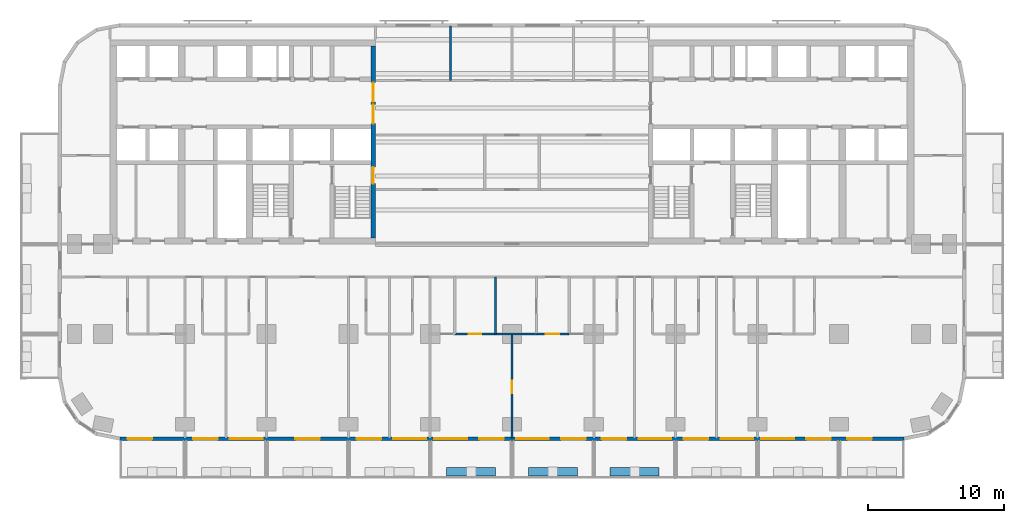
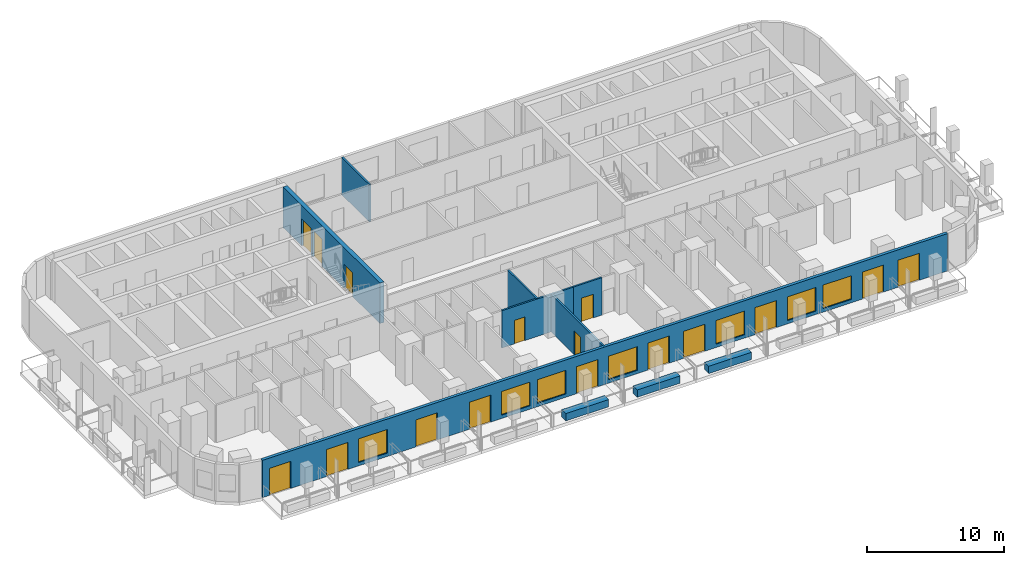
# One storey, part 4 of 13: 16 doors, 10 walls, 7 windows, 23 openings.
"""IFC4 building model written with IfcOpenShell, lengths in metres."""

import ifcopenshell
import ifcopenshell.guid

model = None  # the IFC model being written
_history = None  # IfcOwnerHistory: only IFC2X3 demands one
_inside = {}  # id of a spatial element -> (the spatial element, [elements in it])
_under = {}  # id of a project, library or spatial element -> (it, [spatial elements below it])
_declared = {}  # id of a project -> (the project, [libraries it declares])
_typed = {}  # id of a type object -> (the type object, [elements of that type])
_made_of = {}  # id of a material, layer set ... -> (it, [elements and type objects made of it])


def new_model(schema):
    """Start an empty IFC model of exactly this schema.

    Asked for "IFC4X3", IfcOpenShell would pick the latest addendum, in which some entities
    have other attributes; the version numbers below select the first issue.
    IFC2X3 requires an IfcOwnerHistory on every rooted entity: one is made here for all.
    """
    global model, _history
    if schema == "IFC4X3":
        model = ifcopenshell.file(schema_version=(4, 3, 0, 0))
    else:
        model = ifcopenshell.file(schema=schema)
    _inside.clear()
    _under.clear()
    _declared.clear()
    _typed.clear()
    _made_of.clear()
    _history = None
    if model.schema == "IFC2X3":
        org = make("IfcOrganization", Name="unknown")
        user = make(
            "IfcPersonAndOrganization",
            ThePerson=make("IfcPerson", FamilyName="unknown"),
            TheOrganization=org,
        )
        app = make(
            "IfcApplication",
            ApplicationDeveloper=org,
            Version="unknown",
            ApplicationFullName="unknown",
            ApplicationIdentifier="unknown",
        )
        _history = make(
            "IfcOwnerHistory",
            OwningUser=user,
            OwningApplication=app,
            ChangeAction="ADDED",
            CreationDate=0,
        )
    return model


def make(cls, **values):
    """One entity of the class cls with the attributes given. An attribute that is None is left unset."""
    return model.create_entity(
        cls, **{name: value for name, value in values.items() if value is not None}
    )


def rooted(cls, **values):
    """An entity with a GlobalId (a new one), such as an element, a storey or a relation."""
    return make(cls, GlobalId=ifcopenshell.guid.new(), OwnerHistory=_history, **values)


def si_unit(unit_type, name, prefix=None):
    """IfcSIUnit, for example si_unit("LENGTHUNIT", "METRE", prefix="MILLI")."""
    return make("IfcSIUnit", UnitType=unit_type, Prefix=prefix, Name=name)


def assignment(units):
    """IfcUnitAssignment: the units of a project."""
    return None if units is None else make("IfcUnitAssignment", Units=units)


def point(xyz):
    """IfcCartesianPoint."""
    return None if xyz is None else make("IfcCartesianPoint", Coordinates=xyz)


def direction(xyz):
    """IfcDirection."""
    return None if xyz is None else make("IfcDirection", DirectionRatios=xyz)


def frame(location, z_axis=None, x_axis=None):
    """IfcAxis2Placement3D, a coordinate frame: its origin and axes. An axis left out is left unset."""
    return make(
        "IfcAxis2Placement3D",
        Location=point(location),
        Axis=direction(z_axis),
        RefDirection=direction(x_axis),
    )


def frame_2d(location, x_axis=None):
    """IfcAxis2Placement2D, a coordinate frame in the plane: its origin and x axis."""
    return make(
        "IfcAxis2Placement2D", Location=point(location), RefDirection=direction(x_axis)
    )


def origin():
    """The frame at (0, 0, 0) with its axes left unset."""
    return frame((0.0, 0.0, 0.0))


def place(relative_to, where):
    """IfcLocalPlacement: puts the frame where relative to a parent placement (None: the world)."""
    return make(
        "IfcLocalPlacement", PlacementRelTo=relative_to, RelativePlacement=where
    )


def context(
    kind, dimensions, precision=None, world=None, true_north=None, identifier=None
):
    """IfcGeometricRepresentationContext, for example the 3D "Model" context."""
    return make(
        "IfcGeometricRepresentationContext",
        ContextIdentifier=identifier,
        ContextType=kind,
        CoordinateSpaceDimension=dimensions,
        Precision=precision,
        WorldCoordinateSystem=world,
        TrueNorth=true_north,
    )


def subcontext(parent, identifier, kind, view, scale=None):
    """IfcGeometricRepresentationSubContext, for example "Body" below "Model"."""
    return make(
        "IfcGeometricRepresentationSubContext",
        ContextIdentifier=identifier,
        ContextType=kind,
        ParentContext=parent,
        TargetScale=scale,
        TargetView=view,
    )


def project(units=None, contexts=None):
    """IfcProject with its units and contexts."""
    return rooted(
        "IfcProject",
        Name="project",
        RepresentationContexts=contexts,
        UnitsInContext=assignment(units),
    )


def spatial(cls, under=None, at=None, **own):
    """A site, building, storey or space (cls), placed at a placement, below another one or the project."""
    s = rooted(cls, ObjectPlacement=at, **own)
    if under is not None:
        _under.setdefault(under.id(), (under, []))[1].append(s)
    return s


def profile(cls, at=None, kind="AREA", **sizes):
    """A parametric profile (cls). Its sizes go by their IFC names, for example OverallWidth=200.0."""
    return make(cls, ProfileType=kind, Position=at, **sizes)


def rectangle(**sizes):
    """IfcRectangleProfileDef."""
    return profile("IfcRectangleProfileDef", **sizes)


def extrude(swept, where, along, depth):
    """IfcExtrudedAreaSolid: the profile swept, set in the frame where, extruded along a direction by depth."""
    return make(
        "IfcExtrudedAreaSolid",
        SweptArea=swept,
        Position=where,
        ExtrudedDirection=direction(along),
        Depth=depth,
    )


def shape(context_of_items, identifier, shape_type, items):
    """IfcShapeRepresentation: the items that make up one representation, for example the "Body"."""
    return make(
        "IfcShapeRepresentation",
        ContextOfItems=context_of_items,
        RepresentationIdentifier=identifier,
        RepresentationType=shape_type,
        Items=items,
    )


def material(Name=None, Category=None):
    """IfcMaterial."""
    return make("IfcMaterial", Name=Name, Category=Category)


def layer(
    of_material, thickness, ventilated=None, Name=None, Category=None, Priority=None
):
    """IfcMaterialLayer: one layer of a wall or slab, of a material (None: an air gap)."""
    return make(
        "IfcMaterialLayer",
        Material=of_material,
        LayerThickness=thickness,
        IsVentilated=ventilated,
        Name=Name,
        Category=Category,
        Priority=Priority,
    )


def layer_set(layers, Name=None):
    """IfcMaterialLayerSet."""
    return make("IfcMaterialLayerSet", MaterialLayers=layers, LayerSetName=Name)


def made_of(thing, what):
    """Note that an element or type object is made of a material, layer set ...; save() writes the relation."""
    if what is not None:
        _made_of.setdefault(what.id(), (what, []))[1].append(thing)
    return thing


def type_object(cls, material=None, **own):
    """A type object (cls), such as IfcWallType, which elements share."""
    return made_of(rooted(cls, **own), material)


def element(
    cls,
    number,
    at=None,
    inside=None,
    cuts=None,
    type_object=None,
    material=None,
    context=None,
    identifier="Body",
    shape_type=None,
    held_by="IfcProductDefinitionShape",
    body=None,
    shapes=None,
    **own,
):
    """One element of the class cls, such as IfcWall. Its Tag is "e" and its number.

    at: its placement. inside: the storey or other place that contains it. cuts: it is an
    opening in that element (IfcRelVoidsElement). A single representation is given by context,
    identifier, shape_type and body (its items); several are given by shapes. held_by: the class
    of the entity that holds the representations. save() writes the other relations.
    """
    e = rooted(cls, Tag="e%d" % number, ObjectPlacement=at, **own)
    if body is not None:
        shapes = [shape(context, identifier, shape_type, body)]
    if shapes is not None:
        e.Representation = make(held_by, Representations=shapes)
    if inside is not None:
        _inside.setdefault(inside.id(), (inside, []))[1].append(e)
    if cuts is not None:
        rooted(
            "IfcRelVoidsElement", RelatingBuildingElement=cuts, RelatedOpeningElement=e
        )
    if type_object is not None:
        _typed.setdefault(type_object.id(), (type_object, []))[1].append(e)
    return made_of(e, material)


def fill(opening, filler):
    """IfcRelFillsElement: the door or window that sits in an opening."""
    return rooted(
        "IfcRelFillsElement",
        RelatingOpeningElement=opening,
        RelatedBuildingElement=filler,
    )


def aggregate(whole, parts):
    """IfcRelAggregates: a whole, such as a stair, and the parts it consists of."""
    return rooted("IfcRelAggregates", RelatingObject=whole, RelatedObjects=parts)


def save(model, path):
    """Write the relations noted so far, then the file.

    IfcRelAggregates (storeys below a building ...), IfcRelContainedInSpatialStructure (elements
    in a storey), IfcRelDefinesByType, IfcRelAssociatesMaterial and IfcRelDeclares: one each for
    every whole, place, type object, material and project.
    """
    for whole, parts in _under.values():
        aggregate(whole, parts)
    for where, things in _inside.values():
        rooted(
            "IfcRelContainedInSpatialStructure",
            RelatedElements=things,
            RelatingStructure=where,
        )
    for kind, things in _typed.values():
        rooted("IfcRelDefinesByType", RelatedObjects=things, RelatingType=kind)
    for what, things in _made_of.values():
        rooted("IfcRelAssociatesMaterial", RelatedObjects=things, RelatingMaterial=what)
    for by, libraries in _declared.values():
        rooted("IfcRelDeclares", RelatingContext=by, RelatedDefinitions=libraries)
    model.write(path)


model = new_model("IFC4")

# Units and contexts
model_context = context("Model", 3, precision=1e-05, world=origin(), true_north=direction((0.0, 1.0)))
body_context = subcontext(model_context, "Body", "Model", "MODEL_VIEW")
ifc_project = project(units=[si_unit("LENGTHUNIT", "METRE"), si_unit("AREAUNIT", "SQUARE_METRE"), si_unit("VOLUMEUNIT", "CUBIC_METRE"), si_unit("PLANEANGLEUNIT", "RADIAN"), si_unit("MASSUNIT", "GRAM", prefix="KILO")], contexts=[model_context])

# Site, building, storey
site_placement = place(None, origin())
site = spatial("IfcSite", under=ifc_project, at=site_placement, CompositionType="ELEMENT")
building_placement = place(site_placement, origin())
building = spatial("IfcBuilding", under=site, at=building_placement, Name="Torana Hotel and Residences", CompositionType="ELEMENT")
storey_placement = place(building_placement, frame((0.0, 0.0, 81.60009765625)))
storey = spatial("IfcBuildingStorey", under=building, at=storey_placement, Name="L20", CompositionType="ELEMENT", Elevation=81.60009765625)

# Wall, openings, doors
ifc_material_1 = material(Name="Concrete C80/95", Category="concrete")
ifc_layer_1 = layer(ifc_material_1, 0.35009765625)
ifc_layer_set_1 = layer_set([ifc_layer_1], Name="CORE WALL 350 C80/95")
wall_type_1 = type_object("IfcWallType", Name="CORE WALL 350 C80/95", PredefinedType="SHEAR", material=ifc_layer_set_1)
wall_1_placement = place(storey_placement, frame((-10.175048828125, -14.550048828125, 0.0), z_axis=(0.0, 0.0, 1.0), x_axis=(0.0, 1.0, 0.0)))
wall_1 = element("IfcWall", 1, at=wall_1_placement, inside=storey, type_object=wall_type_1, Name="Core wall W arch", PredefinedType="SHEAR", context=body_context, shape_type="SweptSolid", body=[
    extrude(rectangle(XDim=14.10009765625, YDim=0.35009765625, at=frame_2d((7.050048828125, 0.0))), origin(), (0.0, 0.0, 1.0), 3.599853515625),
])
opening_1_placement = place(wall_1_placement, frame((8.39990234375, 0.0, 0.0)))
opening_1 = element("IfcOpeningElement", 2, at=opening_1_placement, cuts=wall_1, Name="Opening L20-01", PredefinedType="OPENING", context=body_context, shape_type="SweptSolid", body=[
    extrude(rectangle(XDim=1.39990234375, YDim=2.39990234375, at=frame_2d((0.699951171875, 1.199951171875))), frame((0.0, 0.18505859375, 0.0), z_axis=(0.0, -1.0, 0.0), x_axis=(1.0, 0.0, 0.0)), (0.0, 0.0, 1.0), 0.3701171875),
])
opening_2_placement = place(wall_1_placement, frame((10.0, 0.0, 0.0)))
opening_2 = element("IfcOpeningElement", 3, at=opening_2_placement, cuts=wall_1, Name="Opening L20-02", PredefinedType="OPENING", context=body_context, shape_type="SweptSolid", body=[
    extrude(rectangle(XDim=1.39990234375, YDim=2.39990234375, at=frame_2d((0.699951171875, 1.199951171875))), frame((0.0, 0.18505859375, 0.0), z_axis=(0.0, -1.0, 0.0), x_axis=(1.0, 0.0, 0.0)), (0.0, 0.0, 1.0), 0.3701171875),
])
opening_3_placement = place(wall_1_placement, frame((4.0, 0.0, 0.0)))
opening_3 = element("IfcOpeningElement", 4, at=opening_3_placement, cuts=wall_1, Name="Opening L20-03", PredefinedType="OPENING", context=body_context, shape_type="SweptSolid", body=[
    extrude(rectangle(XDim=1.199951171875, YDim=2.10009765625, at=frame_2d((0.60009765625, 1.050048828125))), frame((0.0, 0.18505859375, 0.0), z_axis=(0.0, -1.0, 0.0), x_axis=(1.0, 0.0, 0.0)), (0.0, 0.0, 1.0), 0.3701171875),
])
ifc_material_2 = material(Name="Steel S235", Category="steel")
door_type_1 = type_object("IfcDoorType", Name="LOBBY FIRE DOOR D4 1400x2400", OperationType="DOUBLE_DOOR_SINGLE_SWING", PredefinedType="DOOR", material=ifc_material_2)
door_1_placement = place(opening_1_placement, origin())
door_1 = element("IfcDoor", 5, at=door_1_placement, inside=storey, type_object=door_type_1, Name="Lobby-1 door L20", OperationType="DOUBLE_DOOR_SINGLE_SWING", OverallHeight=2.39990234375, OverallWidth=1.39990234375, PredefinedType="DOOR", context=body_context, shape_type="SweptSolid", body=[
    extrude(rectangle(XDim=1.39990234375, YDim=2.39990234375, at=frame_2d((0.699951171875, 1.199951171875))), frame((0.0, 0.02490234375, 0.0), z_axis=(0.0, -1.0, 0.0), x_axis=(1.0, 0.0, 0.0)), (0.0, 0.0, 1.0), 0.050048828125),
])
fill(opening_1, door_1)
door_2_placement = place(opening_2_placement, origin())
door_2 = element("IfcDoor", 6, at=door_2_placement, inside=storey, type_object=door_type_1, Name="Lobby-2 door L20", OperationType="DOUBLE_DOOR_SINGLE_SWING", OverallHeight=2.39990234375, OverallWidth=1.39990234375, PredefinedType="DOOR", context=body_context, shape_type="SweptSolid", body=[
    extrude(rectangle(XDim=1.39990234375, YDim=2.39990234375, at=frame_2d((0.699951171875, 1.199951171875))), frame((0.0, 0.02490234375, 0.0), z_axis=(0.0, -1.0, 0.0), x_axis=(1.0, 0.0, 0.0)), (0.0, 0.0, 1.0), 0.050048828125),
])
fill(opening_2, door_2)
ifc_material_3 = material(Name="Steel S235", Category="steel")
door_type_2 = type_object("IfcDoorType", Name="STAIR FIRE DOOR D3 1200x2100", OperationType="SINGLE_SWING_LEFT", PredefinedType="DOOR", material=ifc_material_3)
door_3_placement = place(opening_3_placement, origin())
door_3 = element("IfcDoor", 7, at=door_3_placement, inside=storey, type_object=door_type_2, Name="Stair-A door L20", OperationType="SINGLE_SWING_LEFT", OverallHeight=2.10009765625, OverallWidth=1.199951171875, PredefinedType="DOOR", context=body_context, shape_type="SweptSolid", body=[
    extrude(rectangle(XDim=1.199951171875, YDim=2.10009765625, at=frame_2d((0.60009765625, 1.050048828125))), frame((0.0, 0.02490234375, 0.0), z_axis=(0.0, -1.0, 0.0), x_axis=(1.0, 0.0, 0.0)), (0.0, 0.0, 1.0), 0.050048828125),
])
fill(opening_3, door_3)

# Wall, openings, doors, windows
ifc_material_4 = material(Name="Black aluminium composite panel", Category="aluminium")
ifc_layer_2 = layer(ifc_material_4, 0.00390625, Name="Cladding", Category="cladding")
ifc_material_5 = material(Name="Ventilated air cavity")
ifc_layer_3 = layer(ifc_material_5, 0.0400390625, Name="Ventilated cavity", Category="cavity")
ifc_material_6 = material(Name="Mineral wool insulation")
ifc_layer_4 = layer(ifc_material_6, 0.090087890625, Name="Insulation", Category="insulation")
ifc_material_7 = material(Name="Steel S280GD", Category="steel")
ifc_layer_5 = layer(ifc_material_7, 0.092041015625, Name="Steel stud frame", Category="structure")
ifc_material_8 = material(Name="Fire rated plasterboard")
ifc_layer_6 = layer(ifc_material_8, 0.011962890625, Name="Inner board", Category="finish")
ifc_layer_7 = layer(ifc_material_8, 0.011962890625, Name="Second board", Category="finish")
ifc_layer_set_2 = layer_set([ifc_layer_2, ifc_layer_3, ifc_layer_4, ifc_layer_5, ifc_layer_6, ifc_layer_7], Name="EW1 EXTERNAL WALL BLACK METAL CLAD 250")
wall_type_2 = type_object("IfcWallType", Name="EW1 EXTERNAL WALL BLACK METAL CLAD 250", PredefinedType="SOLIDWALL", material=ifc_layer_set_2)
wall_2_placement = place(storey_placement, frame((-28.775390625, -29.27490234375, 0.0), z_axis=(0.0, 0.0, 1.0), x_axis=(1.0, 0.0, 0.0)))
wall_2 = element("IfcWall", 8, at=wall_2_placement, inside=storey, type_object=wall_type_2, Name="External wall L20 e0.14", PredefinedType="SOLIDWALL", context=body_context, shape_type="SweptSolid", body=[
    extrude(rectangle(XDim=57.55078125, YDim=0.25, at=frame_2d((28.775390625, 0.0))), origin(), (0.0, 0.0, 1.0), 3.31982421875),
])
opening_4_placement = place(wall_2_placement, frame((0.575439453125, 0.0, 0.0)))
opening_4 = element("IfcOpeningElement", 9, at=opening_4_placement, cuts=wall_2, Name="Opening L20-E01", PredefinedType="OPENING", context=body_context, shape_type="SweptSolid", body=[
    extrude(rectangle(XDim=1.800048828125, YDim=2.39990234375, at=frame_2d((0.89990234375, 1.199951171875))), frame((0.0, 0.135009765625, 0.0), z_axis=(0.0, -1.0, 0.0), x_axis=(1.0, 0.0, 0.0)), (0.0, 0.0, 1.0), 0.27001953125),
])
opening_5_placement = place(wall_2_placement, frame((5.37548828125, 0.0, 0.0)))
opening_5 = element("IfcOpeningElement", 10, at=opening_5_placement, cuts=wall_2, Name="Opening L20-E02", PredefinedType="OPENING", context=body_context, shape_type="SweptSolid", body=[
    extrude(rectangle(XDim=1.800048828125, YDim=2.39990234375, at=frame_2d((0.89990234375, 1.199951171875))), frame((0.0, 0.135009765625, 0.0), z_axis=(0.0, -1.0, 0.0), x_axis=(1.0, 0.0, 0.0)), (0.0, 0.0, 1.0), 0.27001953125),
])
opening_6_placement = place(wall_2_placement, frame((8.075439453125, 0.0, 0.300048828125)))
opening_6 = element("IfcOpeningElement", 11, at=opening_6_placement, cuts=wall_2, Name="Opening W1", PredefinedType="OPENING", context=body_context, shape_type="SweptSolid", body=[
    extrude(rectangle(XDim=2.39990234375, YDim=2.10009765625, at=frame_2d((1.199951171875, 1.050048828125))), frame((0.0, 0.135009765625, 0.0), z_axis=(0.0, -1.0, 0.0), x_axis=(1.0, 0.0, 0.0)), (0.0, 0.0, 1.0), 0.27001953125),
])
opening_7_placement = place(wall_2_placement, frame((12.87548828125, 0.0, 0.0)))
opening_7 = element("IfcOpeningElement", 12, at=opening_7_placement, cuts=wall_2, Name="Opening L20-E03", PredefinedType="OPENING", context=body_context, shape_type="SweptSolid", body=[
    extrude(rectangle(XDim=1.800048828125, YDim=2.39990234375, at=frame_2d((0.89990234375, 1.199951171875))), frame((0.0, 0.135009765625, 0.0), z_axis=(0.0, -1.0, 0.0), x_axis=(1.0, 0.0, 0.0)), (0.0, 0.0, 1.0), 0.27001953125),
])
opening_8_placement = place(wall_2_placement, frame((17.37548828125, 0.0, 0.0)))
opening_8 = element("IfcOpeningElement", 13, at=opening_8_placement, cuts=wall_2, Name="Opening L20-E04", PredefinedType="OPENING", context=body_context, shape_type="SweptSolid", body=[
    extrude(rectangle(XDim=1.800048828125, YDim=2.39990234375, at=frame_2d((0.89990234375, 1.199951171875))), frame((0.0, 0.135009765625, 0.0), z_axis=(0.0, -1.0, 0.0), x_axis=(1.0, 0.0, 0.0)), (0.0, 0.0, 1.0), 0.27001953125),
])
opening_9_placement = place(wall_2_placement, frame((20.075439453125, 0.0, 0.300048828125)))
opening_9 = element("IfcOpeningElement", 14, at=opening_9_placement, cuts=wall_2, Name="Opening W1", PredefinedType="OPENING", context=body_context, shape_type="SweptSolid", body=[
    extrude(rectangle(XDim=2.39990234375, YDim=2.10009765625, at=frame_2d((1.199951171875, 1.050048828125))), frame((0.0, 0.135009765625, 0.0), z_axis=(0.0, -1.0, 0.0), x_axis=(1.0, 0.0, 0.0)), (0.0, 0.0, 1.0), 0.27001953125),
])
opening_10_placement = place(wall_2_placement, frame((23.075439453125, 0.0, 0.300048828125)))
opening_10 = element("IfcOpeningElement", 15, at=opening_10_placement, cuts=wall_2, Name="Opening W1", PredefinedType="OPENING", context=body_context, shape_type="SweptSolid", body=[
    extrude(rectangle(XDim=2.39990234375, YDim=2.10009765625, at=frame_2d((1.199951171875, 1.050048828125))), frame((0.0, 0.135009765625, 0.0), z_axis=(0.0, -1.0, 0.0), x_axis=(1.0, 0.0, 0.0)), (0.0, 0.0, 1.0), 0.27001953125),
])
opening_11_placement = place(wall_2_placement, frame((26.37548828125, 0.0, 0.0)))
opening_11 = element("IfcOpeningElement", 16, at=opening_11_placement, cuts=wall_2, Name="Opening L20-E05", PredefinedType="OPENING", context=body_context, shape_type="SweptSolid", body=[
    extrude(rectangle(XDim=1.800048828125, YDim=2.39990234375, at=frame_2d((0.89990234375, 1.199951171875))), frame((0.0, 0.135009765625, 0.0), z_axis=(0.0, -1.0, 0.0), x_axis=(1.0, 0.0, 0.0)), (0.0, 0.0, 1.0), 0.27001953125),
])
opening_12_placement = place(wall_2_placement, frame((29.075439453125, 0.0, 0.300048828125)))
opening_12 = element("IfcOpeningElement", 17, at=opening_12_placement, cuts=wall_2, Name="Opening W1", PredefinedType="OPENING", context=body_context, shape_type="SweptSolid", body=[
    extrude(rectangle(XDim=2.39990234375, YDim=2.10009765625, at=frame_2d((1.199951171875, 1.050048828125))), frame((0.0, 0.135009765625, 0.0), z_axis=(0.0, -1.0, 0.0), x_axis=(1.0, 0.0, 0.0)), (0.0, 0.0, 1.0), 0.27001953125),
])
opening_13_placement = place(wall_2_placement, frame((32.37548828125, 0.0, 0.0)))
opening_13 = element("IfcOpeningElement", 18, at=opening_13_placement, cuts=wall_2, Name="Opening L20-E06", PredefinedType="OPENING", context=body_context, shape_type="SweptSolid", body=[
    extrude(rectangle(XDim=1.800048828125, YDim=2.39990234375, at=frame_2d((0.89990234375, 1.199951171875))), frame((0.0, 0.135009765625, 0.0), z_axis=(0.0, -1.0, 0.0), x_axis=(1.0, 0.0, 0.0)), (0.0, 0.0, 1.0), 0.27001953125),
])
opening_14_placement = place(wall_2_placement, frame((35.37548828125, 0.0, 0.0)))
opening_14 = element("IfcOpeningElement", 19, at=opening_14_placement, cuts=wall_2, Name="Opening L20-E07", PredefinedType="OPENING", context=body_context, shape_type="SweptSolid", body=[
    extrude(rectangle(XDim=1.800048828125, YDim=2.39990234375, at=frame_2d((0.89990234375, 1.199951171875))), frame((0.0, 0.135009765625, 0.0), z_axis=(0.0, -1.0, 0.0), x_axis=(1.0, 0.0, 0.0)), (0.0, 0.0, 1.0), 0.27001953125),
])
opening_15_placement = place(wall_2_placement, frame((38.075439453125, 0.0, 0.300048828125)))
opening_15 = element("IfcOpeningElement", 20, at=opening_15_placement, cuts=wall_2, Name="Opening W1", PredefinedType="OPENING", context=body_context, shape_type="SweptSolid", body=[
    extrude(rectangle(XDim=2.39990234375, YDim=2.10009765625, at=frame_2d((1.199951171875, 1.050048828125))), frame((0.0, 0.135009765625, 0.0), z_axis=(0.0, -1.0, 0.0), x_axis=(1.0, 0.0, 0.0)), (0.0, 0.0, 1.0), 0.27001953125),
])
opening_16_placement = place(wall_2_placement, frame((41.37548828125, 0.0, 0.0)))
opening_16 = element("IfcOpeningElement", 21, at=opening_16_placement, cuts=wall_2, Name="Opening L20-E08", PredefinedType="OPENING", context=body_context, shape_type="SweptSolid", body=[
    extrude(rectangle(XDim=1.800048828125, YDim=2.39990234375, at=frame_2d((0.89990234375, 1.199951171875))), frame((0.0, 0.135009765625, 0.0), z_axis=(0.0, -1.0, 0.0), x_axis=(1.0, 0.0, 0.0)), (0.0, 0.0, 1.0), 0.27001953125),
])
opening_17_placement = place(wall_2_placement, frame((44.075439453125, 0.0, 0.300048828125)))
opening_17 = element("IfcOpeningElement", 22, at=opening_17_placement, cuts=wall_2, Name="Opening W1", PredefinedType="OPENING", context=body_context, shape_type="SweptSolid", body=[
    extrude(rectangle(XDim=2.39990234375, YDim=2.10009765625, at=frame_2d((1.199951171875, 1.050048828125))), frame((0.0, 0.135009765625, 0.0), z_axis=(0.0, -1.0, 0.0), x_axis=(1.0, 0.0, 0.0)), (0.0, 0.0, 1.0), 0.27001953125),
])
opening_18_placement = place(wall_2_placement, frame((47.075439453125, 0.0, 0.300048828125)))
opening_18 = element("IfcOpeningElement", 23, at=opening_18_placement, cuts=wall_2, Name="Opening W1", PredefinedType="OPENING", context=body_context, shape_type="SweptSolid", body=[
    extrude(rectangle(XDim=2.39990234375, YDim=2.10009765625, at=frame_2d((1.199951171875, 1.050048828125))), frame((0.0, 0.135009765625, 0.0), z_axis=(0.0, -1.0, 0.0), x_axis=(1.0, 0.0, 0.0)), (0.0, 0.0, 1.0), 0.27001953125),
])
opening_19_placement = place(wall_2_placement, frame((50.37548828125, 0.0, 0.0)))
opening_19 = element("IfcOpeningElement", 24, at=opening_19_placement, cuts=wall_2, Name="Opening L20-E09", PredefinedType="OPENING", context=body_context, shape_type="SweptSolid", body=[
    extrude(rectangle(XDim=1.800048828125, YDim=2.39990234375, at=frame_2d((0.89990234375, 1.199951171875))), frame((0.0, 0.135009765625, 0.0), z_axis=(0.0, -1.0, 0.0), x_axis=(1.0, 0.0, 0.0)), (0.0, 0.0, 1.0), 0.27001953125),
])
opening_20_placement = place(wall_2_placement, frame((53.37548828125, 0.0, 0.0)))
opening_20 = element("IfcOpeningElement", 25, at=opening_20_placement, cuts=wall_2, Name="Opening L20-E10", PredefinedType="OPENING", context=body_context, shape_type="SweptSolid", body=[
    extrude(rectangle(XDim=1.800048828125, YDim=2.39990234375, at=frame_2d((0.89990234375, 1.199951171875))), frame((0.0, 0.135009765625, 0.0), z_axis=(0.0, -1.0, 0.0), x_axis=(1.0, 0.0, 0.0)), (0.0, 0.0, 1.0), 0.27001953125),
])
ifc_material_9 = material(Name="Dark glass in black aluminium frame", Category="aluminium")
door_type_3 = type_object("IfcDoorType", Name="DB1 BALCONY DOOR 1800x2400", OperationType="DOUBLE_DOOR_SINGLE_SWING", PredefinedType="DOOR", material=ifc_material_9)
door_4_placement = place(opening_4_placement, origin())
door_4 = element("IfcDoor", 26, at=door_4_placement, inside=storey, type_object=door_type_3, Name="Balcony door L20", OperationType="DOUBLE_DOOR_SINGLE_SWING", OverallHeight=2.39990234375, OverallWidth=1.800048828125, PredefinedType="DOOR", context=body_context, shape_type="SweptSolid", body=[
    extrude(rectangle(XDim=1.800048828125, YDim=2.39990234375, at=frame_2d((0.89990234375, 1.199951171875))), frame((0.0, 0.02490234375, 0.0), z_axis=(0.0, -1.0, 0.0), x_axis=(1.0, 0.0, 0.0)), (0.0, 0.0, 1.0), 0.050048828125),
])
fill(opening_4, door_4)
door_5_placement = place(opening_5_placement, frame((0.89990234375, 0.0, 0.0), z_axis=(0.0, 0.0, 1.0), x_axis=(-1.0, 0.0, 0.0)))
door_5 = element("IfcDoor", 27, at=door_5_placement, inside=storey, type_object=door_type_3, Name="Balcony door L20", OperationType="DOUBLE_DOOR_SINGLE_SWING", OverallHeight=2.39990234375, OverallWidth=1.800048828125, PredefinedType="DOOR", context=body_context, shape_type="SweptSolid", body=[
    extrude(rectangle(XDim=1.800048828125, YDim=2.39990234375, at=frame_2d((0.0, 1.199951171875))), frame((0.0, -0.02490234375, 0.0), z_axis=(0.0, 1.0, 0.0), x_axis=(-1.0, 0.0, 0.0)), (0.0, 0.0, 1.0), 0.050048828125),
])
fill(opening_5, door_5)
door_6_placement = place(opening_7_placement, origin())
door_6 = element("IfcDoor", 28, at=door_6_placement, inside=storey, type_object=door_type_3, Name="Balcony door L20", OperationType="DOUBLE_DOOR_SINGLE_SWING", OverallHeight=2.39990234375, OverallWidth=1.800048828125, PredefinedType="DOOR", context=body_context, shape_type="SweptSolid", body=[
    extrude(rectangle(XDim=1.800048828125, YDim=2.39990234375, at=frame_2d((0.89990234375, 1.199951171875))), frame((0.0, 0.02490234375, 0.0), z_axis=(0.0, -1.0, 0.0), x_axis=(1.0, 0.0, 0.0)), (0.0, 0.0, 1.0), 0.050048828125),
])
fill(opening_7, door_6)
door_7_placement = place(opening_8_placement, frame((0.89990234375, 0.0, 0.0), z_axis=(0.0, 0.0, 1.0), x_axis=(-1.0, 0.0, 0.0)))
door_7 = element("IfcDoor", 29, at=door_7_placement, inside=storey, type_object=door_type_3, Name="Balcony door L20", OperationType="DOUBLE_DOOR_SINGLE_SWING", OverallHeight=2.39990234375, OverallWidth=1.800048828125, PredefinedType="DOOR", context=body_context, shape_type="SweptSolid", body=[
    extrude(rectangle(XDim=1.800048828125, YDim=2.39990234375, at=frame_2d((0.0, 1.199951171875))), frame((0.0, -0.02490234375, 0.0), z_axis=(0.0, 1.0, 0.0), x_axis=(-1.0, 0.0, 0.0)), (0.0, 0.0, 1.0), 0.050048828125),
])
fill(opening_8, door_7)
door_8_placement = place(opening_11_placement, frame((0.89990234375, 0.0, 0.0), z_axis=(0.0, 0.0, 1.0), x_axis=(-1.0, 0.0, 0.0)))
door_8 = element("IfcDoor", 30, at=door_8_placement, inside=storey, type_object=door_type_3, Name="Balcony door L20", OperationType="DOUBLE_DOOR_SINGLE_SWING", OverallHeight=2.39990234375, OverallWidth=1.800048828125, PredefinedType="DOOR", context=body_context, shape_type="SweptSolid", body=[
    extrude(rectangle(XDim=1.800048828125, YDim=2.39990234375, at=frame_2d((0.0, 1.199951171875))), frame((0.0, -0.02490234375, 0.0), z_axis=(0.0, 1.0, 0.0), x_axis=(-1.0, 0.0, 0.0)), (0.0, 0.0, 1.0), 0.050048828125),
])
fill(opening_11, door_8)
door_9_placement = place(opening_13_placement, frame((0.89990234375, 0.0, 0.0), z_axis=(0.0, 0.0, 1.0), x_axis=(-1.0, 0.0, 0.0)))
door_9 = element("IfcDoor", 31, at=door_9_placement, inside=storey, type_object=door_type_3, Name="Balcony door L20", OperationType="DOUBLE_DOOR_SINGLE_SWING", OverallHeight=2.39990234375, OverallWidth=1.800048828125, PredefinedType="DOOR", context=body_context, shape_type="SweptSolid", body=[
    extrude(rectangle(XDim=1.800048828125, YDim=2.39990234375, at=frame_2d((0.0, 1.199951171875))), frame((0.0, -0.02490234375, 0.0), z_axis=(0.0, 1.0, 0.0), x_axis=(-1.0, 0.0, 0.0)), (0.0, 0.0, 1.0), 0.050048828125),
])
fill(opening_13, door_9)
door_10_placement = place(opening_14_placement, frame((0.89990234375, 0.0, 0.0), z_axis=(0.0, 0.0, 1.0), x_axis=(-1.0, 0.0, 0.0)))
door_10 = element("IfcDoor", 32, at=door_10_placement, inside=storey, type_object=door_type_3, Name="Balcony door L20", OperationType="DOUBLE_DOOR_SINGLE_SWING", OverallHeight=2.39990234375, OverallWidth=1.800048828125, PredefinedType="DOOR", context=body_context, shape_type="SweptSolid", body=[
    extrude(rectangle(XDim=1.800048828125, YDim=2.39990234375, at=frame_2d((0.0, 1.199951171875))), frame((0.0, -0.02490234375, 0.0), z_axis=(0.0, 1.0, 0.0), x_axis=(-1.0, 0.0, 0.0)), (0.0, 0.0, 1.0), 0.050048828125),
])
fill(opening_14, door_10)
door_11_placement = place(opening_16_placement, frame((0.89990234375, 0.0, 0.0), z_axis=(0.0, 0.0, 1.0), x_axis=(-1.0, 0.0, 0.0)))
door_11 = element("IfcDoor", 33, at=door_11_placement, inside=storey, type_object=door_type_3, Name="Balcony door L20", OperationType="DOUBLE_DOOR_SINGLE_SWING", OverallHeight=2.39990234375, OverallWidth=1.800048828125, PredefinedType="DOOR", context=body_context, shape_type="SweptSolid", body=[
    extrude(rectangle(XDim=1.800048828125, YDim=2.39990234375, at=frame_2d((0.0, 1.199951171875))), frame((0.0, -0.02490234375, 0.0), z_axis=(0.0, 1.0, 0.0), x_axis=(-1.0, 0.0, 0.0)), (0.0, 0.0, 1.0), 0.050048828125),
])
fill(opening_16, door_11)
door_12_placement = place(opening_19_placement, frame((0.89990234375, 0.0, 0.0), z_axis=(0.0, 0.0, 1.0), x_axis=(-1.0, 0.0, 0.0)))
door_12 = element("IfcDoor", 34, at=door_12_placement, inside=storey, type_object=door_type_3, Name="Balcony door L20", OperationType="DOUBLE_DOOR_SINGLE_SWING", OverallHeight=2.39990234375, OverallWidth=1.800048828125, PredefinedType="DOOR", context=body_context, shape_type="SweptSolid", body=[
    extrude(rectangle(XDim=1.800048828125, YDim=2.39990234375, at=frame_2d((0.0, 1.199951171875))), frame((0.0, -0.02490234375, 0.0), z_axis=(0.0, 1.0, 0.0), x_axis=(-1.0, 0.0, 0.0)), (0.0, 0.0, 1.0), 0.050048828125),
])
fill(opening_19, door_12)
door_13_placement = place(opening_20_placement, frame((0.89990234375, 0.0, 0.0), z_axis=(0.0, 0.0, 1.0), x_axis=(-1.0, 0.0, 0.0)))
door_13 = element("IfcDoor", 35, at=door_13_placement, inside=storey, type_object=door_type_3, Name="Balcony door L20", OperationType="DOUBLE_DOOR_SINGLE_SWING", OverallHeight=2.39990234375, OverallWidth=1.800048828125, PredefinedType="DOOR", context=body_context, shape_type="SweptSolid", body=[
    extrude(rectangle(XDim=1.800048828125, YDim=2.39990234375, at=frame_2d((0.0, 1.199951171875))), frame((0.0, -0.02490234375, 0.0), z_axis=(0.0, 1.0, 0.0), x_axis=(-1.0, 0.0, 0.0)), (0.0, 0.0, 1.0), 0.050048828125),
])
fill(opening_20, door_13)
ifc_material_10 = material(Name="Dark glass in black aluminium frame", Category="aluminium")
window_type = type_object("IfcWindowType", Name="W1 HOTEL ROOM WINDOW 2400x2100", PartitioningType="SINGLE_PANEL", PredefinedType="WINDOW", material=ifc_material_10)
window_1_placement = place(opening_6_placement, origin())
window_1 = element("IfcWindow", 36, at=window_1_placement, inside=storey, type_object=window_type, Name="Window L20", OverallHeight=2.10009765625, OverallWidth=2.39990234375, PartitioningType="SINGLE_PANEL", PredefinedType="WINDOW", context=body_context, shape_type="SweptSolid", body=[
    extrude(rectangle(XDim=2.39990234375, YDim=2.10009765625, at=frame_2d((1.199951171875, 1.050048828125))), frame((0.0, 0.030029296875, 0.0), z_axis=(0.0, -1.0, 0.0), x_axis=(1.0, 0.0, 0.0)), (0.0, 0.0, 1.0), 0.06005859375),
])
fill(opening_6, window_1)
window_2_placement = place(opening_9_placement, origin())
window_2 = element("IfcWindow", 37, at=window_2_placement, inside=storey, type_object=window_type, Name="Window L20", OverallHeight=2.10009765625, OverallWidth=2.39990234375, PartitioningType="SINGLE_PANEL", PredefinedType="WINDOW", context=body_context, shape_type="SweptSolid", body=[
    extrude(rectangle(XDim=2.39990234375, YDim=2.10009765625, at=frame_2d((1.199951171875, 1.050048828125))), frame((0.0, 0.030029296875, 0.0), z_axis=(0.0, -1.0, 0.0), x_axis=(1.0, 0.0, 0.0)), (0.0, 0.0, 1.0), 0.06005859375),
])
fill(opening_9, window_2)
window_3_placement = place(opening_10_placement, origin())
window_3 = element("IfcWindow", 38, at=window_3_placement, inside=storey, type_object=window_type, Name="Window L20", OverallHeight=2.10009765625, OverallWidth=2.39990234375, PartitioningType="SINGLE_PANEL", PredefinedType="WINDOW", context=body_context, shape_type="SweptSolid", body=[
    extrude(rectangle(XDim=2.39990234375, YDim=2.10009765625, at=frame_2d((1.199951171875, 1.050048828125))), frame((0.0, 0.030029296875, 0.0), z_axis=(0.0, -1.0, 0.0), x_axis=(1.0, 0.0, 0.0)), (0.0, 0.0, 1.0), 0.06005859375),
])
fill(opening_10, window_3)
window_4_placement = place(opening_12_placement, origin())
window_4 = element("IfcWindow", 39, at=window_4_placement, inside=storey, type_object=window_type, Name="Window L20", OverallHeight=2.10009765625, OverallWidth=2.39990234375, PartitioningType="SINGLE_PANEL", PredefinedType="WINDOW", context=body_context, shape_type="SweptSolid", body=[
    extrude(rectangle(XDim=2.39990234375, YDim=2.10009765625, at=frame_2d((1.199951171875, 1.050048828125))), frame((0.0, 0.030029296875, 0.0), z_axis=(0.0, -1.0, 0.0), x_axis=(1.0, 0.0, 0.0)), (0.0, 0.0, 1.0), 0.06005859375),
])
fill(opening_12, window_4)
window_5_placement = place(opening_15_placement, origin())
window_5 = element("IfcWindow", 40, at=window_5_placement, inside=storey, type_object=window_type, Name="Window L20", OverallHeight=2.10009765625, OverallWidth=2.39990234375, PartitioningType="SINGLE_PANEL", PredefinedType="WINDOW", context=body_context, shape_type="SweptSolid", body=[
    extrude(rectangle(XDim=2.39990234375, YDim=2.10009765625, at=frame_2d((1.199951171875, 1.050048828125))), frame((0.0, 0.030029296875, 0.0), z_axis=(0.0, -1.0, 0.0), x_axis=(1.0, 0.0, 0.0)), (0.0, 0.0, 1.0), 0.06005859375),
])
fill(opening_15, window_5)
window_6_placement = place(opening_17_placement, origin())
window_6 = element("IfcWindow", 41, at=window_6_placement, inside=storey, type_object=window_type, Name="Window L20", OverallHeight=2.10009765625, OverallWidth=2.39990234375, PartitioningType="SINGLE_PANEL", PredefinedType="WINDOW", context=body_context, shape_type="SweptSolid", body=[
    extrude(rectangle(XDim=2.39990234375, YDim=2.10009765625, at=frame_2d((1.199951171875, 1.050048828125))), frame((0.0, 0.030029296875, 0.0), z_axis=(0.0, -1.0, 0.0), x_axis=(1.0, 0.0, 0.0)), (0.0, 0.0, 1.0), 0.06005859375),
])
fill(opening_17, window_6)
window_7_placement = place(opening_18_placement, origin())
window_7 = element("IfcWindow", 42, at=window_7_placement, inside=storey, type_object=window_type, Name="Window L20", OverallHeight=2.10009765625, OverallWidth=2.39990234375, PartitioningType="SINGLE_PANEL", PredefinedType="WINDOW", context=body_context, shape_type="SweptSolid", body=[
    extrude(rectangle(XDim=2.39990234375, YDim=2.10009765625, at=frame_2d((1.199951171875, 1.050048828125))), frame((0.0, 0.030029296875, 0.0), z_axis=(0.0, -1.0, 0.0), x_axis=(1.0, 0.0, 0.0)), (0.0, 0.0, 1.0), 0.06005859375),
])
fill(opening_18, window_7)

# Wall, opening, door
ifc_material_11 = material(Name="Gypsum plaster")
ifc_layer_8 = layer(ifc_material_11, 0.014892578125, Name="Plaster", Category="finish")
ifc_material_12 = material(Name="Concrete blockwork", Category="masonry")
ifc_layer_9 = layer(ifc_material_12, 0.1201171875, Name="Blockwork", Category="structure")
ifc_layer_10 = layer(ifc_material_11, 0.014892578125, Name="Plaster", Category="finish")
ifc_layer_set_3 = layer_set([ifc_layer_8, ifc_layer_9, ifc_layer_10], Name="FIRE PARTITION 150 BLOCKWORK")
wall_type_3 = type_object("IfcWallType", Name="FIRE PARTITION 150 BLOCKWORK", PredefinedType="PARTITIONING", material=ifc_layer_set_3)
wall_3_placement = place(storey_placement, frame((1.800048828125, -21.60009765625, 0.0), z_axis=(0.0, 0.0, 1.0), x_axis=(1.0, 0.0, 0.0)))
wall_3 = element("IfcWall", 43, at=wall_3_placement, inside=storey, type_object=wall_type_3, Name="Partition L20", PredefinedType="PARTITIONING", context=body_context, shape_type="SweptSolid", body=[
    extrude(rectangle(XDim=2.39990234375, YDim=0.14990234375, at=frame_2d((1.199951171875, 0.0))), origin(), (0.0, 0.0, 1.0), 3.31982421875),
])
opening_21_placement = place(wall_3_placement, frame((0.679931640625, 0.0, 0.0)))
opening_21 = element("IfcOpeningElement", 44, at=opening_21_placement, cuts=wall_3, Name="Opening L20-68", PredefinedType="OPENING", context=body_context, shape_type="SweptSolid", body=[
    extrude(rectangle(XDim=1.0, YDim=2.10009765625, at=frame_2d((0.5, 1.050048828125))), frame((0.0, 0.0849609375, 0.0), z_axis=(0.0, -1.0, 0.0), x_axis=(1.0, 0.0, 0.0)), (0.0, 0.0, 1.0), 0.169921875),
])
ifc_material_13 = material(Name="Steel S235", Category="steel")
door_type_4 = type_object("IfcDoorType", Name="ENTRY FIRE DOOR D6 1000x2100", OperationType="SINGLE_SWING_LEFT", PredefinedType="DOOR", material=ifc_material_13)
door_14_placement = place(opening_21_placement, frame((0.5, 0.0, 0.0), z_axis=(0.0, 0.0, 1.0), x_axis=(-1.0, 0.0, 0.0)))
door_14 = element("IfcDoor", 45, at=door_14_placement, inside=storey, type_object=door_type_4, Name="Door L20", OperationType="SINGLE_SWING_LEFT", OverallHeight=2.10009765625, OverallWidth=1.0, PredefinedType="DOOR", context=body_context, shape_type="SweptSolid", body=[
    extrude(rectangle(XDim=1.0, YDim=2.10009765625, at=frame_2d((0.0, 1.050048828125))), frame((0.0, -0.02490234375, 0.0), z_axis=(0.0, 1.0, 0.0), x_axis=(-1.0, 0.0, 0.0)), (0.0, 0.0, 1.0), 0.050048828125),
])
fill(opening_21, door_14)

ifc_material_14 = material(Name="Gypsum plasterboard")
ifc_layer_11 = layer(ifc_material_14, 0.012451171875, Name="Plasterboard", Category="finish")
ifc_layer_12 = layer(ifc_material_14, 0.012451171875, Name="Plasterboard", Category="finish")
ifc_layer_13 = layer(ifc_material_7, 0.10009765625, Name="Steel studs with mineral wool", Category="insulation")
ifc_layer_14 = layer(ifc_material_14, 0.012451171875, Name="Plasterboard", Category="finish")
ifc_layer_15 = layer(ifc_material_14, 0.012451171875, Name="Plasterboard", Category="finish")
ifc_layer_set_4 = layer_set([ifc_layer_11, ifc_layer_12, ifc_layer_13, ifc_layer_14, ifc_layer_15], Name="PARTITION 150 PLASTERBOARD")
wall_type_4 = type_object("IfcWallType", Name="PARTITION 150 PLASTERBOARD", PredefinedType="PARTITIONING", material=ifc_layer_set_4)
wall_4_placement = place(storey_placement, frame((0.0, -29.219970703125, 0.0), z_axis=(0.0, 0.0, 1.0), x_axis=(0.0, 1.0, 0.0)))
wall_4 = element("IfcWall", 46, at=wall_4_placement, inside=storey, type_object=wall_type_4, Name="Partition L20", PredefinedType="PARTITIONING", context=body_context, shape_type="SweptSolid", body=[
    extrude(rectangle(XDim=7.619873046875, YDim=0.14990234375, at=frame_2d((3.81005859375, 0.0))), origin(), (0.0, 0.0, 1.0), 3.31982421875),
])
opening_22_placement = place(wall_4_placement, frame((3.2900390625, 0.0, 0.0)))
opening_22 = element("IfcOpeningElement", 47, at=opening_22_placement, cuts=wall_4, Name="Opening L20-70", PredefinedType="OPENING", context=body_context, shape_type="SweptSolid", body=[
    extrude(rectangle(XDim=0.89990234375, YDim=2.10009765625, at=frame_2d((0.449951171875, 1.050048828125))), frame((0.0, 0.0849609375, 0.0), z_axis=(0.0, -1.0, 0.0), x_axis=(1.0, 0.0, 0.0)), (0.0, 0.0, 1.0), 0.169921875),
])
ifc_material_15 = material(Name="Timber door, oiled ash", Category="wood")
door_type_5 = type_object("IfcDoorType", Name="ROOM DOOR D7 900x2100", OperationType="SINGLE_SWING_LEFT", PredefinedType="DOOR", material=ifc_material_15)
door_15_placement = place(opening_22_placement, origin())
door_15 = element("IfcDoor", 48, at=door_15_placement, inside=storey, type_object=door_type_5, Name="Door L20", OperationType="SINGLE_SWING_RIGHT", OverallHeight=2.10009765625, OverallWidth=0.89990234375, PredefinedType="DOOR", context=body_context, shape_type="SweptSolid", body=[
    extrude(rectangle(XDim=0.89990234375, YDim=2.10009765625, at=frame_2d((0.449951171875, 1.050048828125))), frame((0.0, 0.02490234375, 0.0), z_axis=(0.0, -1.0, 0.0), x_axis=(1.0, 0.0, 0.0)), (0.0, 0.0, 1.0), 0.050048828125),
])
fill(opening_22, door_15)

# Walls
wall_5_placement = place(storey_placement, frame((-1.199951171875, -21.60009765625, 0.0), z_axis=(0.0, 0.0, 1.0), x_axis=(0.0, 1.0, 0.0)))
element("IfcWall", 49, at=wall_5_placement, inside=storey, type_object=wall_type_4, Name="Partition L20", PredefinedType="PARTITIONING", context=body_context, shape_type="SweptSolid", body=[
    extrude(rectangle(XDim=4.2001953125, YDim=0.14990234375, at=frame_2d((2.10009765625, 0.0))), origin(), (0.0, 0.0, 1.0), 3.31982421875),
])
wall_6_placement = place(storey_placement, frame((-4.5, -3.0, 0.0), z_axis=(0.0, 0.0, 1.0), x_axis=(0.0, 1.0, 0.0)))
element("IfcWall", 50, at=wall_6_placement, inside=storey, type_object=wall_type_4, Name="Partition L20", PredefinedType="PARTITIONING", context=body_context, shape_type="SweptSolid", body=[
    extrude(rectangle(XDim=4.02001953125, YDim=0.14990234375, at=frame_2d((2.010009765625, 0.0))), origin(), (0.0, 0.0, 1.0), 3.31982421875),
])

# Wall, opening, door
wall_7_placement = place(storey_placement, frame((-4.199951171875, -21.60009765625, 0.0), z_axis=(0.0, 0.0, 1.0), x_axis=(1.0, 0.0, 0.0)))
wall_7 = element("IfcWall", 51, at=wall_7_placement, inside=storey, type_object=wall_type_4, Name="Partition L20", PredefinedType="PARTITIONING", context=body_context, shape_type="SweptSolid", body=[
    extrude(rectangle(XDim=6.0, YDim=0.14990234375, at=frame_2d((3.0, 0.0))), origin(), (0.0, 0.0, 1.0), 3.31982421875),
])
opening_23_placement = place(wall_7_placement, frame((1.030029296875, 0.0, 0.0)))
opening_23 = element("IfcOpeningElement", 52, at=opening_23_placement, cuts=wall_7, Name="Opening L20-66", PredefinedType="OPENING", context=body_context, shape_type="SweptSolid", body=[
    extrude(rectangle(XDim=0.89990234375, YDim=2.10009765625, at=frame_2d((0.449951171875, 1.050048828125))), frame((0.0, 0.0849609375, 0.0), z_axis=(0.0, -1.0, 0.0), x_axis=(1.0, 0.0, 0.0)), (0.0, 0.0, 1.0), 0.169921875),
])
door_16_placement = place(opening_23_placement, origin())
door_16 = element("IfcDoor", 53, at=door_16_placement, inside=storey, type_object=door_type_5, Name="Door L20", OperationType="SINGLE_SWING_RIGHT", OverallHeight=2.10009765625, OverallWidth=0.89990234375, PredefinedType="DOOR", context=body_context, shape_type="SweptSolid", body=[
    extrude(rectangle(XDim=0.89990234375, YDim=2.10009765625, at=frame_2d((0.449951171875, 1.050048828125))), frame((0.0, 0.02490234375, 0.0), z_axis=(0.0, -1.0, 0.0), x_axis=(1.0, 0.0, 0.0)), (0.0, 0.0, 1.0), 0.050048828125),
])
fill(opening_23, door_16)

# Walls
ifc_material_16 = material(Name="Concrete C40/50 precast", Category="concrete")
ifc_layer_16 = layer(ifc_material_16, 0.10009765625, Name="Planter shell", Category="structure")
ifc_material_17 = material(Name="Root resistant membrane")
ifc_layer_17 = layer(ifc_material_17, 0.00390625, Name="Waterproofing membrane", Category="membrane")
ifc_material_18 = material(Name="Drainage board with filter fleece")
ifc_layer_18 = layer(ifc_material_18, 0.02001953125, Name="Drainage board", Category="drainage")
ifc_material_19 = material(Name="Growing medium")
ifc_layer_19 = layer(ifc_material_19, 0.47607421875, Name="Planting substrate", Category="soil")
ifc_layer_set_5 = layer_set([ifc_layer_16, ifc_layer_17, ifc_layer_18, ifc_layer_19], Name="PL1 BALCONY PLANTER 600")
wall_type_5 = type_object("IfcWallType", Name="PL1 BALCONY PLANTER 600", PredefinedType="USERDEFINED", material=ifc_layer_set_5)
for number, where, z_axis, x_axis, name in (
    (54, (-1.199951171875, -31.699951171875, 0.0), (0.0, 0.0, 1.0), (-1.0, 0.0, 0.0), "Planter 05"),
    (55, (4.800048828125, -31.699951171875, 0.0), (0.0, 0.0, 1.0), (-1.0, 0.0, 0.0), "Planter 06"),
    (56, (10.800048828125, -31.699951171875, 0.0), (0.0, 0.0, 1.0), (-1.0, 0.0, 0.0), "Planter 07"),
):
    element("IfcWall", number, at=place(storey_placement, frame(where, z_axis=z_axis, x_axis=x_axis)), inside=storey, type_object=wall_type_5, Name=name, ObjectType="PLANTER", PredefinedType="USERDEFINED", context=body_context, shape_type="SweptSolid", body=[
        extrude(rectangle(XDim=3.60009765625, YDim=0.60009765625, at=frame_2d((1.800048828125, 0.0))), origin(), (0.0, 0.0, 1.0), 0.64990234375),
    ])

save(model, "model.ifc")
